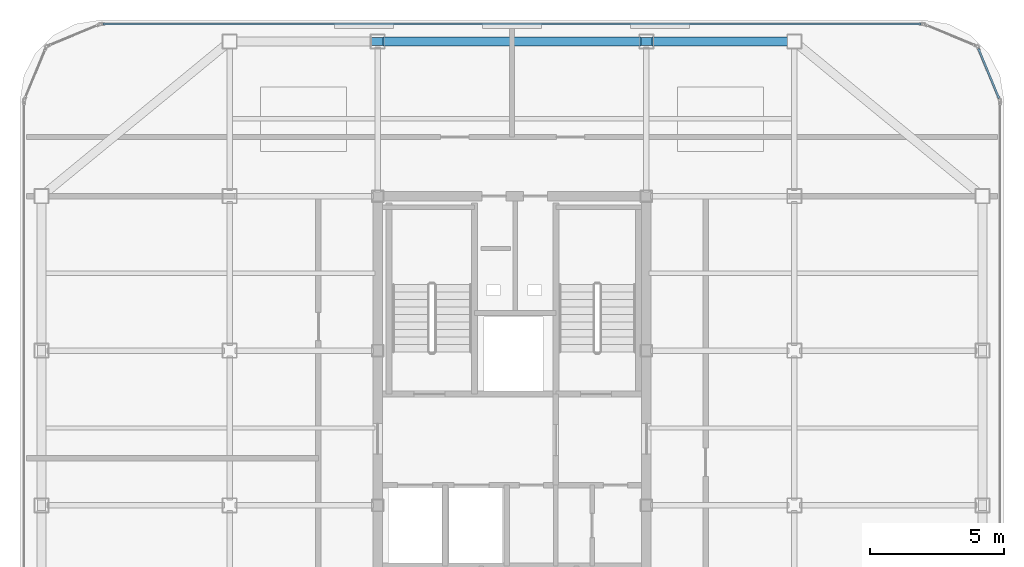
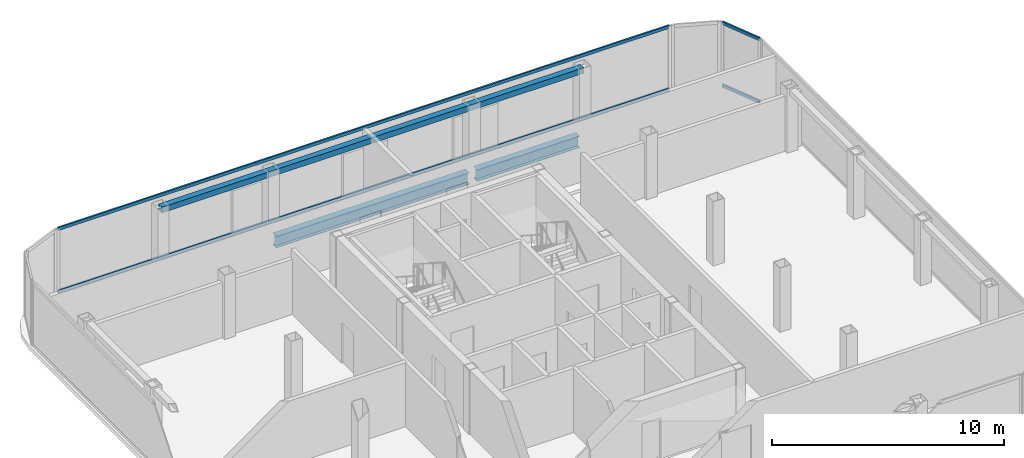
# One storey, part 10 of 15: 5 members, 2 beams, 2 elements without a shape of their own.
"""IFC4 building model written with IfcOpenShell, lengths in metres."""

import ifcopenshell
import ifcopenshell.guid

model = None  # the IFC model being written
_history = None  # IfcOwnerHistory: only IFC2X3 demands one
_inside = {}  # id of a spatial element -> (the spatial element, [elements in it])
_under = {}  # id of a project, library or spatial element -> (it, [spatial elements below it])
_declared = {}  # id of a project -> (the project, [libraries it declares])
_typed = {}  # id of a type object -> (the type object, [elements of that type])
_made_of = {}  # id of a material, layer set ... -> (it, [elements and type objects made of it])


def new_model(schema):
    """Start an empty IFC model of exactly this schema.

    Asked for "IFC4X3", IfcOpenShell would pick the latest addendum, in which some entities
    have other attributes; the version numbers below select the first issue.
    IFC2X3 requires an IfcOwnerHistory on every rooted entity: one is made here for all.
    """
    global model, _history
    if schema == "IFC4X3":
        model = ifcopenshell.file(schema_version=(4, 3, 0, 0))
    else:
        model = ifcopenshell.file(schema=schema)
    _inside.clear()
    _under.clear()
    _declared.clear()
    _typed.clear()
    _made_of.clear()
    _history = None
    if model.schema == "IFC2X3":
        org = make("IfcOrganization", Name="unknown")
        user = make(
            "IfcPersonAndOrganization",
            ThePerson=make("IfcPerson", FamilyName="unknown"),
            TheOrganization=org,
        )
        app = make(
            "IfcApplication",
            ApplicationDeveloper=org,
            Version="unknown",
            ApplicationFullName="unknown",
            ApplicationIdentifier="unknown",
        )
        _history = make(
            "IfcOwnerHistory",
            OwningUser=user,
            OwningApplication=app,
            ChangeAction="ADDED",
            CreationDate=0,
        )
    return model


def make(cls, **values):
    """One entity of the class cls with the attributes given. An attribute that is None is left unset."""
    return model.create_entity(
        cls, **{name: value for name, value in values.items() if value is not None}
    )


def rooted(cls, **values):
    """An entity with a GlobalId (a new one), such as an element, a storey or a relation."""
    return make(cls, GlobalId=ifcopenshell.guid.new(), OwnerHistory=_history, **values)


def si_unit(unit_type, name, prefix=None):
    """IfcSIUnit, for example si_unit("LENGTHUNIT", "METRE", prefix="MILLI")."""
    return make("IfcSIUnit", UnitType=unit_type, Prefix=prefix, Name=name)


def assignment(units):
    """IfcUnitAssignment: the units of a project."""
    return None if units is None else make("IfcUnitAssignment", Units=units)


def point(xyz):
    """IfcCartesianPoint."""
    return None if xyz is None else make("IfcCartesianPoint", Coordinates=xyz)


def direction(xyz):
    """IfcDirection."""
    return None if xyz is None else make("IfcDirection", DirectionRatios=xyz)


def frame(location, z_axis=None, x_axis=None):
    """IfcAxis2Placement3D, a coordinate frame: its origin and axes. An axis left out is left unset."""
    return make(
        "IfcAxis2Placement3D",
        Location=point(location),
        Axis=direction(z_axis),
        RefDirection=direction(x_axis),
    )


def frame_2d(location, x_axis=None):
    """IfcAxis2Placement2D, a coordinate frame in the plane: its origin and x axis."""
    return make(
        "IfcAxis2Placement2D", Location=point(location), RefDirection=direction(x_axis)
    )


def origin():
    """The frame at (0, 0, 0) with its axes left unset."""
    return frame((0.0, 0.0, 0.0))


def origin_2d():
    """The frame at (0, 0) in the plane with its x axis left unset."""
    return frame_2d((0.0, 0.0))


def place(relative_to, where):
    """IfcLocalPlacement: puts the frame where relative to a parent placement (None: the world)."""
    return make(
        "IfcLocalPlacement", PlacementRelTo=relative_to, RelativePlacement=where
    )


def context(
    kind, dimensions, precision=None, world=None, true_north=None, identifier=None
):
    """IfcGeometricRepresentationContext, for example the 3D "Model" context."""
    return make(
        "IfcGeometricRepresentationContext",
        ContextIdentifier=identifier,
        ContextType=kind,
        CoordinateSpaceDimension=dimensions,
        Precision=precision,
        WorldCoordinateSystem=world,
        TrueNorth=true_north,
    )


def subcontext(parent, identifier, kind, view, scale=None):
    """IfcGeometricRepresentationSubContext, for example "Body" below "Model"."""
    return make(
        "IfcGeometricRepresentationSubContext",
        ContextIdentifier=identifier,
        ContextType=kind,
        ParentContext=parent,
        TargetScale=scale,
        TargetView=view,
    )


def project(units=None, contexts=None):
    """IfcProject with its units and contexts."""
    return rooted(
        "IfcProject",
        Name="project",
        RepresentationContexts=contexts,
        UnitsInContext=assignment(units),
    )


def spatial(cls, under=None, at=None, **own):
    """A site, building, storey or space (cls), placed at a placement, below another one or the project."""
    s = rooted(cls, ObjectPlacement=at, **own)
    if under is not None:
        _under.setdefault(under.id(), (under, []))[1].append(s)
    return s


def profile(cls, at=None, kind="AREA", **sizes):
    """A parametric profile (cls). Its sizes go by their IFC names, for example OverallWidth=200.0."""
    return make(cls, ProfileType=kind, Position=at, **sizes)


def hollow_rectangle(**sizes):
    """IfcRectangleHollowProfileDef."""
    return profile("IfcRectangleHollowProfileDef", **sizes)


def i_section(**sizes):
    """IfcIShapeProfileDef."""
    return profile("IfcIShapeProfileDef", **sizes)


def extrude(swept, where, along, depth):
    """IfcExtrudedAreaSolid: the profile swept, set in the frame where, extruded along a direction by depth."""
    return make(
        "IfcExtrudedAreaSolid",
        SweptArea=swept,
        Position=where,
        ExtrudedDirection=direction(along),
        Depth=depth,
    )


def shape(context_of_items, identifier, shape_type, items):
    """IfcShapeRepresentation: the items that make up one representation, for example the "Body"."""
    return make(
        "IfcShapeRepresentation",
        ContextOfItems=context_of_items,
        RepresentationIdentifier=identifier,
        RepresentationType=shape_type,
        Items=items,
    )


def source(mapping_origin, context_of_items, identifier, shape_type, items):
    """IfcRepresentationMap: a shape defined once, which mapped items show again and again."""
    return make(
        "IfcRepresentationMap",
        MappingOrigin=mapping_origin,
        MappedRepresentation=shape(context_of_items, identifier, shape_type, items),
    )


def transform(
    local_origin,
    x_axis=None,
    y_axis=None,
    z_axis=None,
    scale=None,
    scale2=None,
    scale3=None,
    uniform=True,
):
    """IfcCartesianTransformationOperator3D, or its non-uniform kind. x_axis, y_axis, z_axis: its Axis1, 2, 3."""
    if uniform:
        return make(
            "IfcCartesianTransformationOperator3D",
            Axis1=direction(x_axis),
            Axis2=direction(y_axis),
            LocalOrigin=point(local_origin),
            Scale=scale,
            Axis3=direction(z_axis),
        )
    return make(
        "IfcCartesianTransformationOperator3DnonUniform",
        Axis1=direction(x_axis),
        Axis2=direction(y_axis),
        LocalOrigin=point(local_origin),
        Scale=scale,
        Axis3=direction(z_axis),
        Scale2=scale2,
        Scale3=scale3,
    )


def mapped(mapping_source, mapping_target):
    """IfcMappedItem: shows the shape of a source again, moved by a transform."""
    return make(
        "IfcMappedItem", MappingSource=mapping_source, MappingTarget=mapping_target
    )


def material(Name=None, Category=None):
    """IfcMaterial."""
    return make("IfcMaterial", Name=Name, Category=Category)


def layer(
    of_material, thickness, ventilated=None, Name=None, Category=None, Priority=None
):
    """IfcMaterialLayer: one layer of a wall or slab, of a material (None: an air gap)."""
    return make(
        "IfcMaterialLayer",
        Material=of_material,
        LayerThickness=thickness,
        IsVentilated=ventilated,
        Name=Name,
        Category=Category,
        Priority=Priority,
    )


def layer_set(layers, Name=None):
    """IfcMaterialLayerSet."""
    return make("IfcMaterialLayerSet", MaterialLayers=layers, LayerSetName=Name)


def material_profile(
    of_material, cross_section, Name=None, Category=None, Priority=None
):
    """IfcMaterialProfile: a cross section and its material."""
    return make(
        "IfcMaterialProfile",
        Name=Name,
        Material=of_material,
        Profile=cross_section,
        Priority=Priority,
        Category=Category,
    )


def profile_set(profiles, Name=None, composite=None):
    """IfcMaterialProfileSet."""
    return make(
        "IfcMaterialProfileSet",
        Name=Name,
        MaterialProfiles=profiles,
        CompositeProfile=composite,
    )


def made_of(thing, what):
    """Note that an element or type object is made of a material, layer set ...; save() writes the relation."""
    if what is not None:
        _made_of.setdefault(what.id(), (what, []))[1].append(thing)
    return thing


def type_object(cls, material=None, **own):
    """A type object (cls), such as IfcWallType, which elements share."""
    return made_of(rooted(cls, **own), material)


def element(
    cls,
    number,
    at=None,
    inside=None,
    cuts=None,
    type_object=None,
    material=None,
    context=None,
    identifier="Body",
    shape_type=None,
    held_by="IfcProductDefinitionShape",
    body=None,
    shapes=None,
    **own,
):
    """One element of the class cls, such as IfcWall. Its Tag is "e" and its number.

    at: its placement. inside: the storey or other place that contains it. cuts: it is an
    opening in that element (IfcRelVoidsElement). A single representation is given by context,
    identifier, shape_type and body (its items); several are given by shapes. held_by: the class
    of the entity that holds the representations. save() writes the other relations.
    """
    e = rooted(cls, Tag="e%d" % number, ObjectPlacement=at, **own)
    if body is not None:
        shapes = [shape(context, identifier, shape_type, body)]
    if shapes is not None:
        e.Representation = make(held_by, Representations=shapes)
    if inside is not None:
        _inside.setdefault(inside.id(), (inside, []))[1].append(e)
    if cuts is not None:
        rooted(
            "IfcRelVoidsElement", RelatingBuildingElement=cuts, RelatedOpeningElement=e
        )
    if type_object is not None:
        _typed.setdefault(type_object.id(), (type_object, []))[1].append(e)
    return made_of(e, material)


def aggregate(whole, parts):
    """IfcRelAggregates: a whole, such as a stair, and the parts it consists of."""
    return rooted("IfcRelAggregates", RelatingObject=whole, RelatedObjects=parts)


def save(model, path):
    """Write the relations noted so far, then the file.

    IfcRelAggregates (storeys below a building ...), IfcRelContainedInSpatialStructure (elements
    in a storey), IfcRelDefinesByType, IfcRelAssociatesMaterial and IfcRelDeclares: one each for
    every whole, place, type object, material and project.
    """
    for whole, parts in _under.values():
        aggregate(whole, parts)
    for where, things in _inside.values():
        rooted(
            "IfcRelContainedInSpatialStructure",
            RelatedElements=things,
            RelatingStructure=where,
        )
    for kind, things in _typed.values():
        rooted("IfcRelDefinesByType", RelatedObjects=things, RelatingType=kind)
    for what, things in _made_of.values():
        rooted("IfcRelAssociatesMaterial", RelatedObjects=things, RelatingMaterial=what)
    for by, libraries in _declared.values():
        rooted("IfcRelDeclares", RelatingContext=by, RelatedDefinitions=libraries)
    model.write(path)


model = new_model("IFC4")

# Units and contexts
model_context = context("Model", 3, precision=1e-05, world=origin(), true_north=direction((0.0, 1.0)))
body_context = subcontext(model_context, "Body", "Model", "MODEL_VIEW")
ifc_project = project(units=[si_unit("LENGTHUNIT", "METRE"), si_unit("AREAUNIT", "SQUARE_METRE"), si_unit("VOLUMEUNIT", "CUBIC_METRE"), si_unit("PLANEANGLEUNIT", "RADIAN"), si_unit("MASSUNIT", "GRAM", prefix="KILO")], contexts=[model_context])

# Site, building, storey
site_placement = place(None, origin())
site = spatial("IfcSite", under=ifc_project, at=site_placement, CompositionType="ELEMENT")
building_placement = place(site_placement, origin())
building = spatial("IfcBuilding", under=site, at=building_placement, Name="Kolveth Station Tower", CompositionType="ELEMENT")
storey_placement = place(building_placement, frame((0.0, 0.0, 271.300048828125)))
storey = spatial("IfcBuildingStorey", under=building, at=storey_placement, Name="L78", CompositionType="ELEMENT", Elevation=271.300048828125)

# Beams
ifc_material_1 = material(Name="Steel S355", Category="steel")
ifc_material_profile_1 = material_profile(ifc_material_1, i_section(OverallWidth=0.323974609375, OverallDepth=0.611083984375, WebThickness=0.0126953125, FlangeThickness=0.01904296875, at=origin_2d()), Name="W610x155")
ifc_profile_set_1 = profile_set([ifc_material_profile_1], Name="Steel S355")
beam_type = type_object("IfcBeamType", Name="Beam_SP2", PredefinedType="SPANDREL", material=ifc_profile_set_1)
shared_shape_1 = source(origin(), body_context, "Body", "SweptSolid", [
    extrude(i_section(OverallWidth=0.323974609375, OverallDepth=0.611083984375, WebThickness=0.0126953125, FlangeThickness=0.01904296875, at=origin_2d()), origin(), (0.0, 0.0, 1.0), 5.10009765625),
])
beam_1_placement = place(storey_placement, frame((28.699951171875, 34.5, -0.525634765625), z_axis=(1.0, 0.0, 0.0), x_axis=(0.0, 1.0, 0.0)))
element("IfcBeam", 1, at=beam_1_placement, inside=storey, type_object=beam_type, Name="L78 Perimeter Spandrel BM-L78-PN-3", PredefinedType="SPANDREL", context=body_context, shape_type="MappedRepresentation", body=[
    mapped(shared_shape_1, transform((0.0, 0.0, 0.0), x_axis=(1.0, 0.0, 0.0), y_axis=(0.0, 1.0, 0.0), z_axis=(0.0, 0.0, 1.0), scale=1.0)),
])
shared_shape_2 = source(origin(), body_context, "Body", "SweptSolid", [
    extrude(i_section(OverallWidth=0.323974609375, OverallDepth=0.611083984375, WebThickness=0.0126953125, FlangeThickness=0.01904296875, at=origin_2d()), origin(), (0.0, 0.0, 1.0), 9.60009765625),
])
beam_2_placement = place(storey_placement, frame((18.699951171875, 34.5, -0.525634765625), z_axis=(1.0, 0.0, 0.0), x_axis=(0.0, 1.0, 0.0)))
element("IfcBeam", 2, at=beam_2_placement, inside=storey, type_object=beam_type, Name="L78 Perimeter Spandrel BM-L78-PN-2", PredefinedType="SPANDREL", context=body_context, shape_type="MappedRepresentation", body=[
    mapped(shared_shape_2, transform((0.0, 0.0, 0.0), x_axis=(1.0, 0.0, 0.0), y_axis=(0.0, 1.0, 0.0), z_axis=(0.0, 0.0, 1.0), scale=1.0)),
])

# Member
ifc_material_profile_2 = material_profile(ifc_material_1, hollow_rectangle(XDim=0.300048828125, YDim=0.300048828125, WallThickness=0.01611328125, at=origin_2d()), Name="CROWN-HSS300x300x16")
ifc_profile_set_2 = profile_set([ifc_material_profile_2], Name="Steel S355")
member_type_1 = type_object("IfcMemberType", Name="Mem_CF1", PredefinedType="CHORD", material=ifc_profile_set_2)
shared_shape_3 = source(origin(), body_context, "Body", "SweptSolid", [
    extrude(hollow_rectangle(XDim=0.300048828125, YDim=0.300048828125, WallThickness=0.01611328125, at=origin_2d()), origin(), (0.0, 0.0, 1.0), 21.0),
])
member_1_placement = place(storey_placement, frame((13.0, 34.5, 3.14990234375), z_axis=(1.0, 0.0, 0.0), x_axis=(0.0, 1.0, 0.0)))
element("IfcMember", 3, at=member_1_placement, inside=storey, type_object=member_type_1, Name="L78 Crown Frame Ring Chord 2", PredefinedType="CHORD", context=body_context, shape_type="MappedRepresentation", body=[
    mapped(shared_shape_3, transform((0.0, 0.0, 0.0), x_axis=(1.0, 0.0, 0.0), y_axis=(0.0, 1.0, 0.0), z_axis=(0.0, 0.0, 1.0), scale=1.0)),
])

# Curtain wall, members
ifc_material_2 = material(Name="Black anodized aluminium 6063-T6 and dark crown glass", Category="aluminium")
ifc_layer = layer(ifc_material_2, 0.169921875)
ifc_layer_set = layer_set([ifc_layer], Name="Black anodized aluminium 6063-T6 and dark crown glass")
curtain_wall_type = type_object("IfcCurtainWallType", Name="CurtainWall_CW-CR", PredefinedType="NOTDEFINED", material=ifc_layer_set)
curtain_wall_1_placement = place(storey_placement, origin())
curtain_wall_1 = element("IfcCurtainWall", 4, at=curtain_wall_1_placement, inside=storey, type_object=curtain_wall_type, Name="L78 Stepped Crown Curtain Wall 4", PredefinedType="NOTDEFINED")
ifc_material_3 = material(Name="Black anodized aluminium 6063-T6", Category="aluminium")
ifc_material_profile_3 = material_profile(ifc_material_3, hollow_rectangle(XDim=0.080078125, YDim=0.1650390625, WallThickness=0.0048828125, at=origin_2d()), Name="ALU-80x165x5")
ifc_profile_set_3 = profile_set([ifc_material_profile_3], Name="Black anodized aluminium 6063-T6")
member_type_2 = type_object("IfcMemberType", Name="Transom_TR-CR", PredefinedType="USERDEFINED", material=ifc_profile_set_3)
shared_shape_4 = source(origin(), body_context, "Body", "SweptSolid", [
    extrude(hollow_rectangle(XDim=0.080078125, YDim=0.1650390625, WallThickness=0.0048828125, at=origin_2d()), origin(), (0.0, 0.0, 1.0), 2.011474609375),
])
member_2_placement = place(storey_placement, frame((41.617431640625, 32.37841796875, 0.0400390625), z_axis=(-0.382580487431, 0.92392216698, 0.0), x_axis=(-0.92392216698, -0.382580487431, 0.0)))
member_2 = element("IfcMember", 5, at=member_2_placement, type_object=member_type_2, Name="CW-CR transom 1.1", ObjectType="TRANSOM", PredefinedType="USERDEFINED", context=body_context, shape_type="MappedRepresentation", body=[
    mapped(shared_shape_4, transform((0.0, 0.0, 0.0), x_axis=(1.0, 0.0, 0.0), y_axis=(0.0, 1.0, 0.0), z_axis=(0.0, 0.0, 1.0), scale=1.0)),
])
member_3_placement = place(storey_placement, frame((41.617431640625, 32.37841796875, 3.33984375), z_axis=(-0.382580487431, 0.92392216698, 0.0), x_axis=(-0.92392216698, -0.382580487431, 0.0)))
member_3 = element("IfcMember", 6, at=member_3_placement, type_object=member_type_2, Name="CW-CR transom 1.2", ObjectType="TRANSOM", PredefinedType="USERDEFINED", context=body_context, shape_type="MappedRepresentation", body=[
    mapped(shared_shape_4, transform((0.0, 0.0, 0.0), x_axis=(1.0, 0.0, 0.0), y_axis=(0.0, 1.0, 0.0), z_axis=(0.0, 0.0, 1.0), scale=1.0)),
])
aggregate(curtain_wall_1, [member_2, member_3])

curtain_wall_2_placement = place(storey_placement, origin())
curtain_wall_2 = element("IfcCurtainWall", 7, at=curtain_wall_2_placement, inside=storey, type_object=curtain_wall_type, Name="L78 Stepped Crown Curtain Wall 6", PredefinedType="NOTDEFINED")
shared_shape_5 = source(origin(), body_context, "Body", "SweptSolid", [
    extrude(hollow_rectangle(XDim=0.080078125, YDim=0.1650390625, WallThickness=0.0048828125, at=origin_2d()), origin(), (0.0, 0.0, 1.0), 30.43017578125),
])
member_4_placement = place(storey_placement, frame((38.715087890625, 35.14990234375, 0.0400390625), z_axis=(-1.0, 0.0, 0.0), x_axis=(0.0, -1.0, 0.0)))
member_4 = element("IfcMember", 8, at=member_4_placement, type_object=member_type_2, Name="CW-CR transom 1.1", ObjectType="TRANSOM", PredefinedType="USERDEFINED", context=body_context, shape_type="MappedRepresentation", body=[
    mapped(shared_shape_5, transform((0.0, 0.0, 0.0), x_axis=(1.0, 0.0, 0.0), y_axis=(0.0, 1.0, 0.0), z_axis=(0.0, 0.0, 1.0), scale=1.0)),
])
member_5_placement = place(storey_placement, frame((38.715087890625, 35.14990234375, 3.33984375), z_axis=(-1.0, 0.0, 0.0), x_axis=(0.0, -1.0, 0.0)))
member_5 = element("IfcMember", 9, at=member_5_placement, type_object=member_type_2, Name="CW-CR transom 1.2", ObjectType="TRANSOM", PredefinedType="USERDEFINED", context=body_context, shape_type="MappedRepresentation", body=[
    mapped(shared_shape_5, transform((0.0, 0.0, 0.0), x_axis=(1.0, 0.0, 0.0), y_axis=(0.0, 1.0, 0.0), z_axis=(0.0, 0.0, 1.0), scale=1.0)),
])
aggregate(curtain_wall_2, [member_4, member_5])

save(model, "model.ifc")
